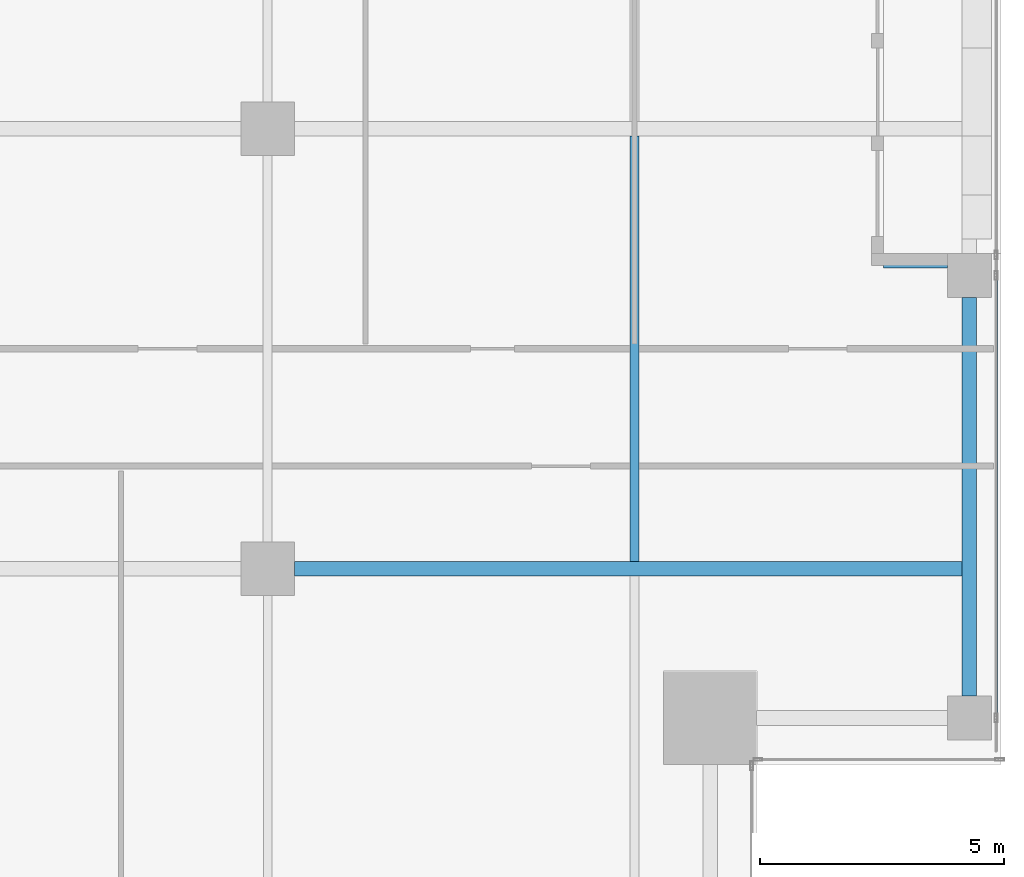
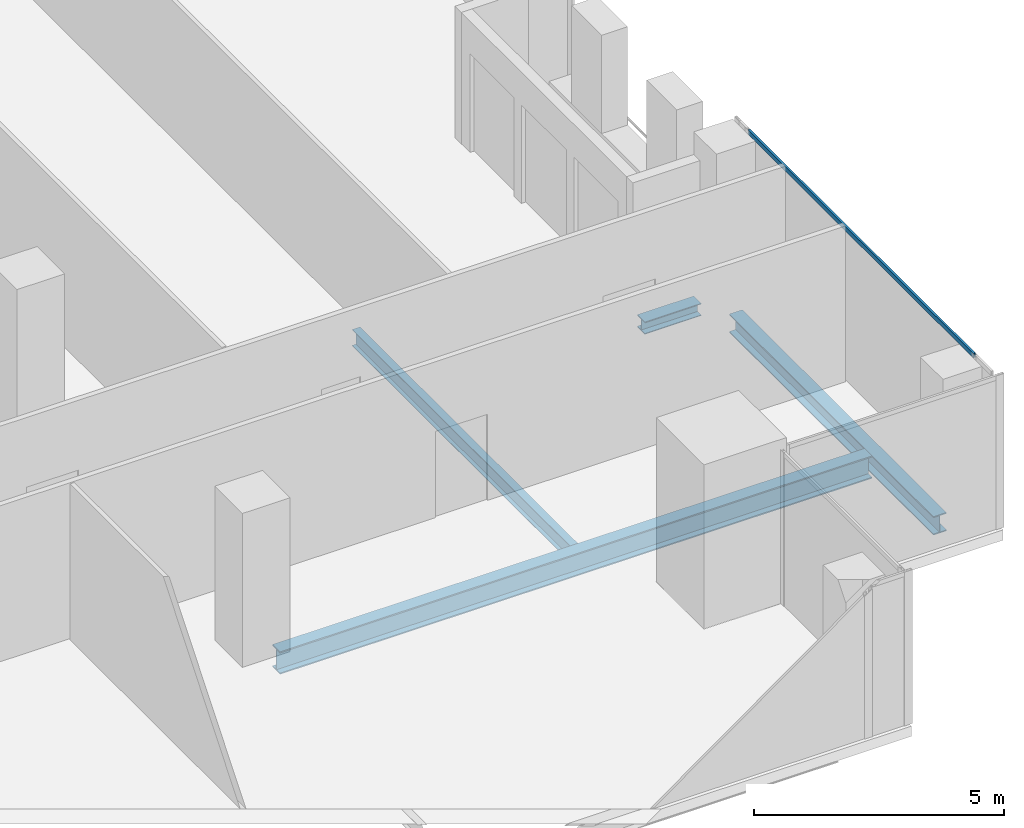
# One storey, part 11 of 35: 4 beams, 1 member, 1 element without a shape of its own.
"""IFC4 building model written with IfcOpenShell, lengths in metres."""

from ifc_helpers import new_model, si_unit, direction, frame, origin, origin_2d, place, context, subcontext, project, spatial, hollow_rectangle, i_section, extrude, source, transform, mapped, material, material_profile, profile_set, type_object, element, aggregate, save


model = new_model("IFC4")

# Units and contexts
model_context = context("Model", 3, precision=1e-05, world=origin(), true_north=direction((0.0, 1.0)))
body_context = subcontext(model_context, "Body", "Model", "MODEL_VIEW")
ifc_project = project(units=[si_unit("LENGTHUNIT", "METRE"), si_unit("AREAUNIT", "SQUARE_METRE"), si_unit("VOLUMEUNIT", "CUBIC_METRE"), si_unit("PLANEANGLEUNIT", "RADIAN"), si_unit("MASSUNIT", "GRAM", prefix="KILO")], contexts=[model_context])

# Site, building, storey
site_placement = place(None, origin())
site = spatial("IfcSite", under=ifc_project, at=site_placement, CompositionType="ELEMENT")
building_placement = place(site_placement, origin())
building = spatial("IfcBuilding", under=site, at=building_placement, Name="Khomas Fold Tower", CompositionType="ELEMENT")
storey_placement = place(building_placement, frame((0.0, 0.0, 262.199951171875)))
storey = spatial("IfcBuildingStorey", under=building, at=storey_placement, Name="L59", CompositionType="ELEMENT", Elevation=262.199951171875)

# Beams
ifc_material_1 = material(Name="Steel S355", Category="steel")
ifc_material_profile_1 = material_profile(ifc_material_1, i_section(OverallWidth=0.179931640625, OverallDepth=0.39990234375, WebThickness=0.008544921875, FlangeThickness=0.013427734375, at=origin_2d()), Name="IPE 400")
ifc_profile_set_1 = profile_set([ifc_material_profile_1], Name="Steel S355")
beam_type_1 = type_object("IfcBeamType", Name="IPE 400 beam JB3", PredefinedType="BEAM", material=ifc_profile_set_1)
shared_shape_1 = source(origin(), body_context, "Body", "SweptSolid", [
    extrude(i_section(OverallWidth=0.179931640625, OverallDepth=0.39990234375, WebThickness=0.008544921875, FlangeThickness=0.013427734375, at=origin_2d()), origin(), (0.0, 0.0, 1.0), 8.7001953125),
])
beam_1_placement = place(storey_placement, frame((42.0, 13.64990234375, -0.449951171875), z_axis=(0.0, 1.0, 0.0), x_axis=(-1.0, 0.0, 0.0)))
element("IfcBeam", 1, at=beam_1_placement, inside=storey, type_object=beam_type_1, Name="JB3", PredefinedType="BEAM", context=body_context, shape_type="MappedRepresentation", body=[
    mapped(shared_shape_1, transform((0.0, 0.0, 0.0))),
])
ifc_material_2 = material(Name="Steel S355", Category="steel")
ifc_material_profile_2 = material_profile(ifc_material_2, i_section(OverallWidth=0.300048828125, OverallDepth=0.449951171875, WebThickness=0.013916015625, FlangeThickness=0.02587890625, at=origin_2d()), Name="HE 450 B")
ifc_profile_set_2 = profile_set([ifc_material_profile_2], Name="Steel S355")
beam_type_2 = type_object("IfcBeamType", Name="HE 450 B spandrel SB4", PredefinedType="SPANDREL", material=ifc_profile_set_2)
shared_shape_2 = source(origin(), body_context, "Body", "SweptSolid", [
    extrude(i_section(OverallWidth=0.300048828125, OverallDepth=0.449951171875, WebThickness=0.013916015625, FlangeThickness=0.02587890625, at=origin_2d()), origin(), (0.0, 0.0, 1.0), 8.150146484375),
])
beam_2_placement = place(storey_placement, frame((48.85009765625, 10.89990234375, -0.474853515625), z_axis=(0.0, 1.0, 0.0), x_axis=(-1.0, 0.0, 0.0)))
element("IfcBeam", 2, at=beam_2_placement, inside=storey, type_object=beam_type_2, Name="SB4", PredefinedType="SPANDREL", context=body_context, shape_type="MappedRepresentation", body=[
    mapped(shared_shape_2, transform((0.0, 0.0, 0.0))),
])
ifc_material_3 = material(Name="Steel S355", Category="steel")
ifc_material_profile_3 = material_profile(ifc_material_3, i_section(OverallWidth=0.300048828125, OverallDepth=0.550048828125, WebThickness=0.014892578125, FlangeThickness=0.029052734375, at=origin_2d()), Name="HE 550 B")
ifc_profile_set_3 = profile_set([ifc_material_profile_3], Name="Steel S355")
beam_type_3 = type_object("IfcBeamType", Name="HE 550 B beam GB4", PredefinedType="BEAM", material=ifc_profile_set_3)
shared_shape_3 = source(origin(), body_context, "Body", "SweptSolid", [
    extrude(i_section(OverallWidth=0.300048828125, OverallDepth=0.550048828125, WebThickness=0.014892578125, FlangeThickness=0.029052734375, at=origin_2d()), origin(), (0.0, 0.0, 1.0), 13.64990234375),
])
beam_3_placement = place(storey_placement, frame((35.050048828125, 13.5, -0.52490234375), z_axis=(1.0, 0.0, 0.0), x_axis=(0.0, 1.0, 0.0)))
element("IfcBeam", 3, at=beam_3_placement, inside=storey, type_object=beam_type_3, Name="GB4", PredefinedType="BEAM", context=body_context, shape_type="MappedRepresentation", body=[
    mapped(shared_shape_3, transform((0.0, 0.0, 0.0))),
])
ifc_material_4 = material(Name="Steel S355", Category="steel")
ifc_material_profile_4 = material_profile(ifc_material_4, i_section(OverallWidth=0.300048828125, OverallDepth=0.300048828125, WebThickness=0.010986328125, FlangeThickness=0.01904296875, at=origin_2d()), Name="HE 300 B")
ifc_profile_set_4 = profile_set([ifc_material_profile_4], Name="Steel S355")
beam_type_4 = type_object("IfcBeamType", Name="HE 300 B beam BB1", PredefinedType="BEAM", material=ifc_profile_set_4)
shared_shape_4 = source(origin(), body_context, "Body", "SweptSolid", [
    extrude(i_section(OverallWidth=0.300048828125, OverallDepth=0.300048828125, WebThickness=0.010986328125, FlangeThickness=0.01904296875, at=origin_2d()), origin(), (0.0, 0.0, 1.0), 1.2998046875),
])
beam_4_placement = place(storey_placement, frame((47.10009765625, 19.800048828125, -0.39990234375), z_axis=(1.0, 0.0, 0.0), x_axis=(0.0, 1.0, 0.0)))
element("IfcBeam", 4, at=beam_4_placement, inside=storey, type_object=beam_type_4, Name="BB1", PredefinedType="BEAM", context=body_context, shape_type="MappedRepresentation", body=[
    mapped(shared_shape_4, transform((0.0, 0.0, 0.0))),
])

# Curtain wall, member
ifc_material_5 = material(Name="Aluminium framed double glazing", Category="aluminium")
curtain_wall_type = type_object("IfcCurtainWallType", Name="SK-Unitised clear-glass wall, office floors CW2", PredefinedType="NOTDEFINED", material=ifc_material_5)
curtain_wall_placement = place(storey_placement, origin())
curtain_wall = element("IfcCurtainWall", 5, at=curtain_wall_placement, inside=storey, type_object=curtain_wall_type, Name="CW2 run L59 03-0", PredefinedType="NOTDEFINED")
ifc_material_6 = material(Name="Aluminium", Category="aluminium")
ifc_material_profile_5 = material_profile(ifc_material_6, hollow_rectangle(XDim=0.050048828125, YDim=0.110107421875, WallThickness=0.00390625, at=origin_2d()), Name="SK-Unitised clear-glass wall, office floors transom CW2-T")
ifc_profile_set_5 = profile_set([ifc_material_profile_5], Name="Aluminium")
member_type = type_object("IfcMemberType", Name="SK-Unitised clear-glass wall, office floors transom CW2-T", PredefinedType="USERDEFINED", material=ifc_profile_set_5)
shared_shape_5 = source(origin(), body_context, "Body", "SweptSolid", [
    extrude(hollow_rectangle(XDim=0.050048828125, YDim=0.110107421875, WallThickness=0.00390625, at=origin_2d()), origin(), (0.0, 0.0, 1.0), 8.989990234375),
])
member_placement = place(storey_placement, frame((49.39990234375, 10.47998046875, 3.695068359375), z_axis=(0.0, 1.0, 0.0), x_axis=(-1.0, 0.0, 0.0)))
member = element("IfcMember", 6, at=member_placement, type_object=member_type, Name="CW2 transom 2", ObjectType="TRANSOM", PredefinedType="USERDEFINED", context=body_context, shape_type="MappedRepresentation", body=[
    mapped(shared_shape_5, transform((0.0, 0.0, 0.0))),
])
aggregate(curtain_wall, [member])

save(model, "model.ifc")
